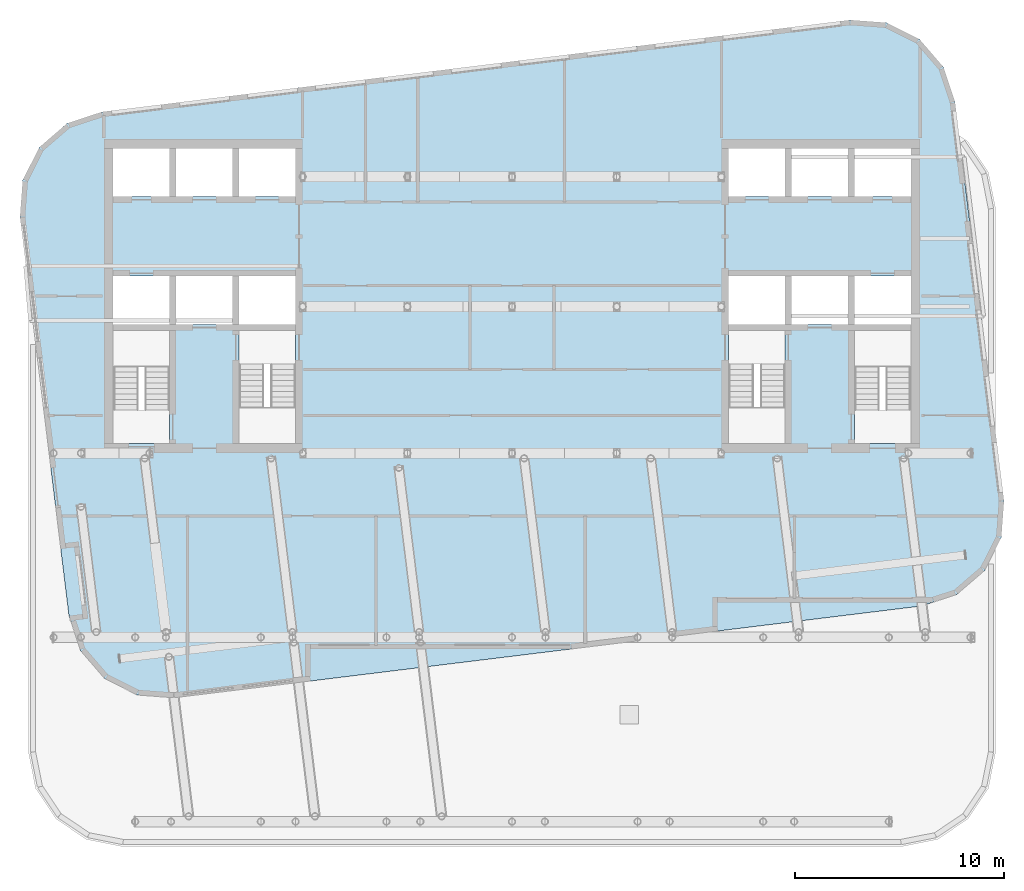
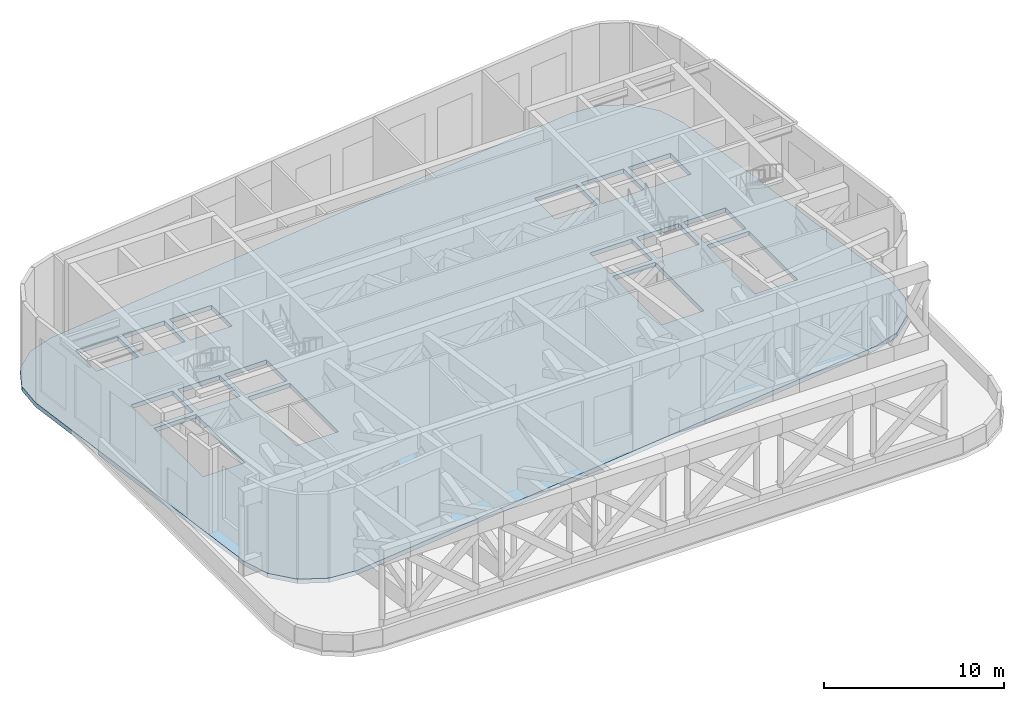
# One storey, part 7 of 16: 1 slab.
"""IFC4 building model written with IfcOpenShell, lengths in metres."""

import ifcopenshell
import ifcopenshell.guid

model = None  # the IFC model being written
_history = None  # IfcOwnerHistory: only IFC2X3 demands one
_inside = {}  # id of a spatial element -> (the spatial element, [elements in it])
_under = {}  # id of a project, library or spatial element -> (it, [spatial elements below it])
_declared = {}  # id of a project -> (the project, [libraries it declares])
_typed = {}  # id of a type object -> (the type object, [elements of that type])
_made_of = {}  # id of a material, layer set ... -> (it, [elements and type objects made of it])


def new_model(schema):
    """Start an empty IFC model of exactly this schema.

    Asked for "IFC4X3", IfcOpenShell would pick the latest addendum, in which some entities
    have other attributes; the version numbers below select the first issue.
    IFC2X3 requires an IfcOwnerHistory on every rooted entity: one is made here for all.
    """
    global model, _history
    if schema == "IFC4X3":
        model = ifcopenshell.file(schema_version=(4, 3, 0, 0))
    else:
        model = ifcopenshell.file(schema=schema)
    _inside.clear()
    _under.clear()
    _declared.clear()
    _typed.clear()
    _made_of.clear()
    _history = None
    if model.schema == "IFC2X3":
        org = make("IfcOrganization", Name="unknown")
        user = make(
            "IfcPersonAndOrganization",
            ThePerson=make("IfcPerson", FamilyName="unknown"),
            TheOrganization=org,
        )
        app = make(
            "IfcApplication",
            ApplicationDeveloper=org,
            Version="unknown",
            ApplicationFullName="unknown",
            ApplicationIdentifier="unknown",
        )
        _history = make(
            "IfcOwnerHistory",
            OwningUser=user,
            OwningApplication=app,
            ChangeAction="ADDED",
            CreationDate=0,
        )
    return model


def make(cls, **values):
    """One entity of the class cls with the attributes given. An attribute that is None is left unset."""
    return model.create_entity(
        cls, **{name: value for name, value in values.items() if value is not None}
    )


def rooted(cls, **values):
    """An entity with a GlobalId (a new one), such as an element, a storey or a relation."""
    return make(cls, GlobalId=ifcopenshell.guid.new(), OwnerHistory=_history, **values)


def si_unit(unit_type, name, prefix=None):
    """IfcSIUnit, for example si_unit("LENGTHUNIT", "METRE", prefix="MILLI")."""
    return make("IfcSIUnit", UnitType=unit_type, Prefix=prefix, Name=name)


def assignment(units):
    """IfcUnitAssignment: the units of a project."""
    return None if units is None else make("IfcUnitAssignment", Units=units)


def point(xyz):
    """IfcCartesianPoint."""
    return None if xyz is None else make("IfcCartesianPoint", Coordinates=xyz)


def direction(xyz):
    """IfcDirection."""
    return None if xyz is None else make("IfcDirection", DirectionRatios=xyz)


def frame(location, z_axis=None, x_axis=None):
    """IfcAxis2Placement3D, a coordinate frame: its origin and axes. An axis left out is left unset."""
    return make(
        "IfcAxis2Placement3D",
        Location=point(location),
        Axis=direction(z_axis),
        RefDirection=direction(x_axis),
    )


def origin():
    """The frame at (0, 0, 0) with its axes left unset."""
    return frame((0.0, 0.0, 0.0))


def place(relative_to, where):
    """IfcLocalPlacement: puts the frame where relative to a parent placement (None: the world)."""
    return make(
        "IfcLocalPlacement", PlacementRelTo=relative_to, RelativePlacement=where
    )


def context(
    kind, dimensions, precision=None, world=None, true_north=None, identifier=None
):
    """IfcGeometricRepresentationContext, for example the 3D "Model" context."""
    return make(
        "IfcGeometricRepresentationContext",
        ContextIdentifier=identifier,
        ContextType=kind,
        CoordinateSpaceDimension=dimensions,
        Precision=precision,
        WorldCoordinateSystem=world,
        TrueNorth=true_north,
    )


def subcontext(parent, identifier, kind, view, scale=None):
    """IfcGeometricRepresentationSubContext, for example "Body" below "Model"."""
    return make(
        "IfcGeometricRepresentationSubContext",
        ContextIdentifier=identifier,
        ContextType=kind,
        ParentContext=parent,
        TargetScale=scale,
        TargetView=view,
    )


def project(units=None, contexts=None):
    """IfcProject with its units and contexts."""
    return rooted(
        "IfcProject",
        Name="project",
        RepresentationContexts=contexts,
        UnitsInContext=assignment(units),
    )


def spatial(cls, under=None, at=None, **own):
    """A site, building, storey or space (cls), placed at a placement, below another one or the project."""
    s = rooted(cls, ObjectPlacement=at, **own)
    if under is not None:
        _under.setdefault(under.id(), (under, []))[1].append(s)
    return s


def polyline(points):
    """IfcPolyline through the points."""
    return make("IfcPolyline", Points=[point(p) for p in points])


def outline(outer, holes=None, kind="AREA"):
    """IfcArbitraryClosedProfileDef: a profile drawn as a closed curve; with holes, ...WithVoids."""
    if holes is None:
        return make("IfcArbitraryClosedProfileDef", ProfileType=kind, OuterCurve=outer)
    return make(
        "IfcArbitraryProfileDefWithVoids",
        ProfileType=kind,
        OuterCurve=outer,
        InnerCurves=holes,
    )


def extrude(swept, where, along, depth):
    """IfcExtrudedAreaSolid: the profile swept, set in the frame where, extruded along a direction by depth."""
    return make(
        "IfcExtrudedAreaSolid",
        SweptArea=swept,
        Position=where,
        ExtrudedDirection=direction(along),
        Depth=depth,
    )


def shape(context_of_items, identifier, shape_type, items):
    """IfcShapeRepresentation: the items that make up one representation, for example the "Body"."""
    return make(
        "IfcShapeRepresentation",
        ContextOfItems=context_of_items,
        RepresentationIdentifier=identifier,
        RepresentationType=shape_type,
        Items=items,
    )


def material(Name=None, Category=None):
    """IfcMaterial."""
    return make("IfcMaterial", Name=Name, Category=Category)


def layer(
    of_material, thickness, ventilated=None, Name=None, Category=None, Priority=None
):
    """IfcMaterialLayer: one layer of a wall or slab, of a material (None: an air gap)."""
    return make(
        "IfcMaterialLayer",
        Material=of_material,
        LayerThickness=thickness,
        IsVentilated=ventilated,
        Name=Name,
        Category=Category,
        Priority=Priority,
    )


def layer_set(layers, Name=None):
    """IfcMaterialLayerSet."""
    return make("IfcMaterialLayerSet", MaterialLayers=layers, LayerSetName=Name)


def made_of(thing, what):
    """Note that an element or type object is made of a material, layer set ...; save() writes the relation."""
    if what is not None:
        _made_of.setdefault(what.id(), (what, []))[1].append(thing)
    return thing


def type_object(cls, material=None, **own):
    """A type object (cls), such as IfcWallType, which elements share."""
    return made_of(rooted(cls, **own), material)


def element(
    cls,
    number,
    at=None,
    inside=None,
    cuts=None,
    type_object=None,
    material=None,
    context=None,
    identifier="Body",
    shape_type=None,
    held_by="IfcProductDefinitionShape",
    body=None,
    shapes=None,
    **own,
):
    """One element of the class cls, such as IfcWall. Its Tag is "e" and its number.

    at: its placement. inside: the storey or other place that contains it. cuts: it is an
    opening in that element (IfcRelVoidsElement). A single representation is given by context,
    identifier, shape_type and body (its items); several are given by shapes. held_by: the class
    of the entity that holds the representations. save() writes the other relations.
    """
    e = rooted(cls, Tag="e%d" % number, ObjectPlacement=at, **own)
    if body is not None:
        shapes = [shape(context, identifier, shape_type, body)]
    if shapes is not None:
        e.Representation = make(held_by, Representations=shapes)
    if inside is not None:
        _inside.setdefault(inside.id(), (inside, []))[1].append(e)
    if cuts is not None:
        rooted(
            "IfcRelVoidsElement", RelatingBuildingElement=cuts, RelatedOpeningElement=e
        )
    if type_object is not None:
        _typed.setdefault(type_object.id(), (type_object, []))[1].append(e)
    return made_of(e, material)


def aggregate(whole, parts):
    """IfcRelAggregates: a whole, such as a stair, and the parts it consists of."""
    return rooted("IfcRelAggregates", RelatingObject=whole, RelatedObjects=parts)


def save(model, path):
    """Write the relations noted so far, then the file.

    IfcRelAggregates (storeys below a building ...), IfcRelContainedInSpatialStructure (elements
    in a storey), IfcRelDefinesByType, IfcRelAssociatesMaterial and IfcRelDeclares: one each for
    every whole, place, type object, material and project.
    """
    for whole, parts in _under.values():
        aggregate(whole, parts)
    for where, things in _inside.values():
        rooted(
            "IfcRelContainedInSpatialStructure",
            RelatedElements=things,
            RelatingStructure=where,
        )
    for kind, things in _typed.values():
        rooted("IfcRelDefinesByType", RelatedObjects=things, RelatingType=kind)
    for what, things in _made_of.values():
        rooted("IfcRelAssociatesMaterial", RelatedObjects=things, RelatingMaterial=what)
    for by, libraries in _declared.values():
        rooted("IfcRelDeclares", RelatingContext=by, RelatedDefinitions=libraries)
    model.write(path)


model = new_model("IFC4")

# Units and contexts
model_context = context("Model", 3, precision=1e-05, world=origin(), true_north=direction((0.0, 1.0)))
body_context = subcontext(model_context, "Body", "Model", "MODEL_VIEW")
ifc_project = project(units=[si_unit("LENGTHUNIT", "METRE"), si_unit("AREAUNIT", "SQUARE_METRE"), si_unit("VOLUMEUNIT", "CUBIC_METRE"), si_unit("PLANEANGLEUNIT", "RADIAN"), si_unit("MASSUNIT", "GRAM", prefix="KILO")], contexts=[model_context])

# Site, building, storey
site_placement = place(None, origin())
site = spatial("IfcSite", under=ifc_project, at=site_placement, CompositionType="ELEMENT")
building_placement = place(site_placement, origin())
building = spatial("IfcBuilding", under=site, at=building_placement, Name="Torana Hotel and Residences", CompositionType="ELEMENT")
storey_placement = place(building_placement, frame((0.0, 0.0, 308.60009765625)))
storey = spatial("IfcBuildingStorey", under=building, at=storey_placement, Name="L82", CompositionType="ELEMENT", Elevation=308.60009765625)

# Slab
ifc_material = material(Name="Concrete C40/50", Category="concrete")
ifc_layer = layer(ifc_material, 0.300048828125)
ifc_layer_set = layer_set([ifc_layer], Name="FLOOR SLAB PT 300")
slab_type = type_object("IfcSlabType", Name="FLOOR SLAB PT 300", PredefinedType="FLOOR", material=ifc_layer_set)
slab_placement = place(storey_placement, frame((0.0, 0.0, -0.300048828125)))
element("IfcSlab", 1, at=slab_placement, inside=storey, type_object=slab_type, Name="Floor slab", PredefinedType="FLOOR", context=body_context, shape_type="SweptSolid", body=[
    extrude(outline(polyline([(21.162353515625, 1.7705078125), (20.612548828125, 3.43798828125), (19.46630859375, 4.76806640625), (17.8984375, 5.558349609375), (16.1474609375, 5.6884765625), (-19.584228515625, 1.30126953125), (-21.251708984375, 0.75146484375), (-22.581787109375, -0.394775390625), (-23.3720703125, -1.962646484375), (-23.502197265625, -3.713623046875), (-21.162353515625, -22.7705078125), (-20.612548828125, -24.43798828125), (-19.46630859375, -25.76806640625), (-17.8984375, -26.558349609375), (-16.1474609375, -26.6884765625), (19.584228515625, -22.30126953125), (21.251708984375, -21.75146484375), (22.581787109375, -20.605224609375), (23.3720703125, -19.037353515625), (23.502197265625, -17.286376953125), (21.162353515625, 1.7705078125)]), holes=[polyline([(-13.050048828125, -14.550048828125), (-10.35009765625, -14.550048828125), (-10.35009765625, -9.14990234375), (-13.050048828125, -9.14990234375), (-13.050048828125, -14.550048828125)]), polyline([(-19.050048828125, -14.550048828125), (-16.35009765625, -14.550048828125), (-16.35009765625, -9.14990234375), (-19.050048828125, -9.14990234375), (-19.050048828125, -14.550048828125)]), polyline([(-19.050048828125, -2.75), (-16.35009765625, -2.75), (-16.35009765625, -0.449951171875), (-19.050048828125, -0.449951171875), (-19.050048828125, -2.75)]), polyline([(-13.050048828125, -2.75), (-10.35009765625, -2.75), (-10.35009765625, -0.449951171875), (-13.050048828125, -0.449951171875), (-13.050048828125, -2.75)]), polyline([(-16.050048828125, -2.75), (-13.35009765625, -2.75), (-13.35009765625, -0.449951171875), (-16.050048828125, -0.449951171875), (-16.050048828125, -2.75)]), polyline([(-13.050048828125, -8.85009765625), (-10.35009765625, -8.85009765625), (-10.35009765625, -6.550048828125), (-13.050048828125, -6.550048828125), (-13.050048828125, -8.85009765625)]), polyline([(-16.050048828125, -8.85009765625), (-13.35009765625, -8.85009765625), (-13.35009765625, -6.550048828125), (-16.050048828125, -6.550048828125), (-16.050048828125, -8.85009765625)]), polyline([(-19.050048828125, -8.85009765625), (-16.35009765625, -8.85009765625), (-16.35009765625, -6.550048828125), (-19.050048828125, -6.550048828125), (-19.050048828125, -8.85009765625)]), polyline([(10.35009765625, -14.550048828125), (13.050048828125, -14.550048828125), (13.050048828125, -9.14990234375), (10.35009765625, -9.14990234375), (10.35009765625, -14.550048828125)]), polyline([(16.35009765625, -14.550048828125), (19.050048828125, -14.550048828125), (19.050048828125, -9.14990234375), (16.35009765625, -9.14990234375), (16.35009765625, -14.550048828125)]), polyline([(16.35009765625, -2.75), (19.050048828125, -2.75), (19.050048828125, -0.449951171875), (16.35009765625, -0.449951171875), (16.35009765625, -2.75)]), polyline([(10.35009765625, -2.75), (13.050048828125, -2.75), (13.050048828125, -0.449951171875), (10.35009765625, -0.449951171875), (10.35009765625, -2.75)]), polyline([(13.35009765625, -2.75), (16.050048828125, -2.75), (16.050048828125, -0.449951171875), (13.35009765625, -0.449951171875), (13.35009765625, -2.75)]), polyline([(10.35009765625, -8.85009765625), (13.050048828125, -8.85009765625), (13.050048828125, -6.550048828125), (10.35009765625, -6.550048828125), (10.35009765625, -8.85009765625)]), polyline([(13.35009765625, -8.85009765625), (16.050048828125, -8.85009765625), (16.050048828125, -6.550048828125), (13.35009765625, -6.550048828125), (13.35009765625, -8.85009765625)]), polyline([(16.35009765625, -8.85009765625), (19.050048828125, -8.85009765625), (19.050048828125, -6.550048828125), (16.35009765625, -6.550048828125), (16.35009765625, -8.85009765625)])]), origin(), (0.0, 0.0, 1.0), 0.300048828125),
])

save(model, "model.ifc")
